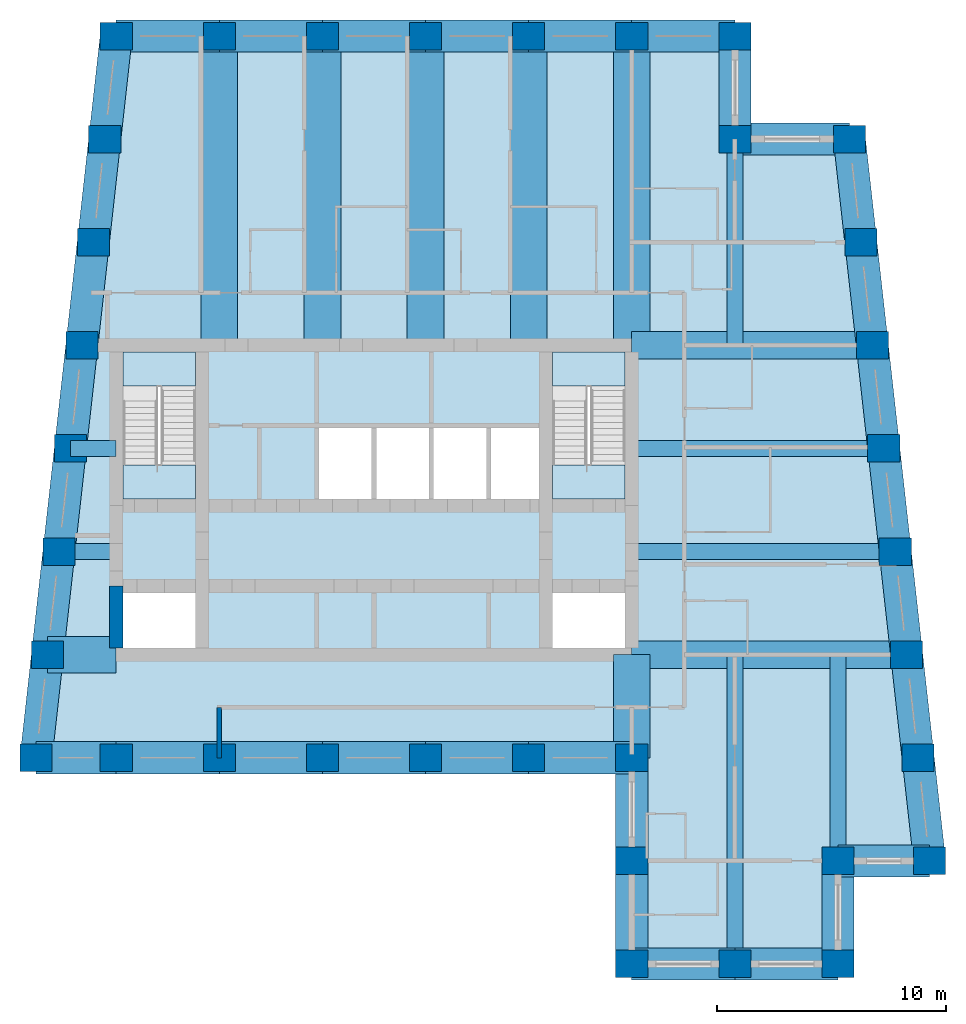
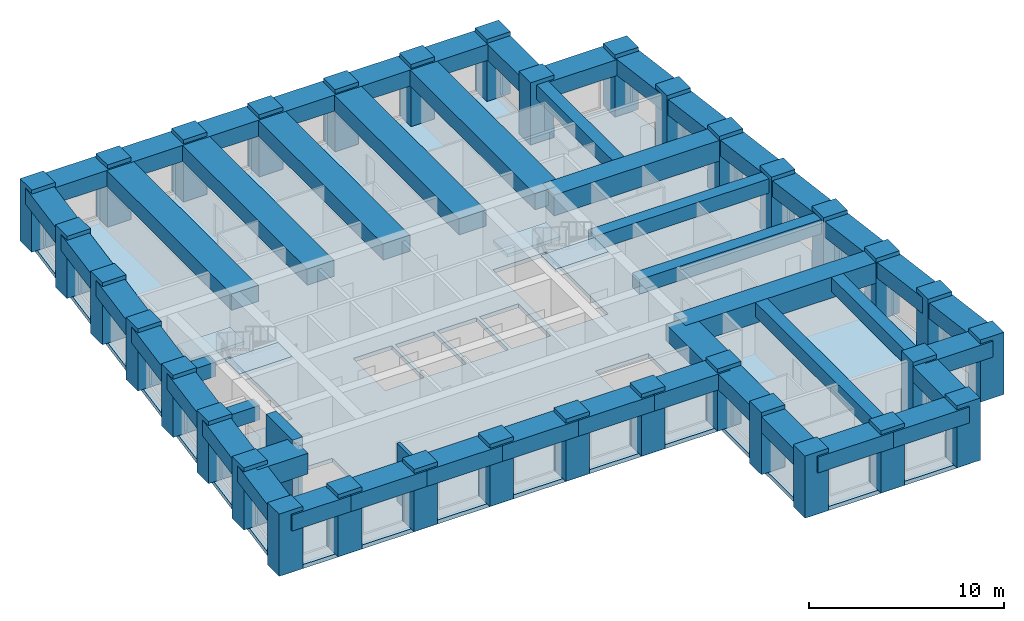
# One storey, part 1 of 7: 50 beams, 34 columns, 5 slabs, 2 walls, 2 elements without a shape of their own.
"""IFC4 building model written with IfcOpenShell, lengths in metres."""

from ifc_helpers import new_model, si_unit, direction, frame, frame_2d, origin, origin_2d, place, context, subcontext, project, spatial, polyline, rectangle, outline, extrude, material, layer, layer_set, material_profile, profile_set, type_object, element, aggregate, save


model = new_model("IFC4")

# Units and contexts
model_context = context("Model", 3, precision=1e-05, world=origin(), true_north=direction((0.0, 1.0)))
body_context = subcontext(model_context, "Body", "Model", "MODEL_VIEW")
ifc_project = project(units=[si_unit("LENGTHUNIT", "METRE"), si_unit("AREAUNIT", "SQUARE_METRE"), si_unit("VOLUMEUNIT", "CUBIC_METRE"), si_unit("PLANEANGLEUNIT", "RADIAN"), si_unit("MASSUNIT", "GRAM", prefix="KILO")], contexts=[model_context])

# Site, building, storey
site_placement = place(None, origin())
site = spatial("IfcSite", under=ifc_project, at=site_placement, CompositionType="ELEMENT")
building_placement = place(site_placement, origin())
building = spatial("IfcBuilding", under=site, at=building_placement, Name="Kilele Tower Hotel", CompositionType="ELEMENT")
storey_placement = place(building_placement, frame((0.0, 0.0, 266.300048828125)))
storey = spatial("IfcBuildingStorey", under=building, at=storey_placement, Name="L68", CompositionType="ELEMENT", Elevation=266.300048828125)

# Columns
ifc_material_1 = material(Name="Concrete C60/75", Category="concrete")
ifc_material_profile_1 = material_profile(ifc_material_1, rectangle(XDim=1.39990234375, YDim=1.199951171875, at=origin_2d()))
ifc_profile_set_1 = profile_set([ifc_material_profile_1], Name="Concrete C60/75")
column_type = type_object("IfcColumnType", Name="Tube column RC 1400x1200 C60/75", PredefinedType="COLUMN", material=ifc_profile_set_1)
for number, where, z_axis, x_axis, name in (
    (1, (10.0, 9.0, 0.0), (0.0, 0.0, 1.0), (1.0, 0.0, 0.0), "Column TC5 L68"),
    (2, (13.5, 9.0, 0.0), (0.0, 0.0, 1.0), (1.0, 0.0, 0.0), "Column TC5 L68"),
    (3, (18.0, 9.0, 0.0), (0.0, 0.0, 1.0), (1.0, 0.0, 0.0), "Column TC5 L68"),
    (4, (22.5, 9.0, 0.0), (0.0, 0.0, 1.0), (1.0, 0.0, 0.0), "Column TC5 L68"),
    (5, (27.0, 9.0, 0.0), (0.0, 0.0, 1.0), (1.0, 0.0, 0.0), "Column TC5 L68"),
    (6, (31.5, 9.0, 0.0), (0.0, 0.0, 1.0), (1.0, 0.0, 0.0), "Column TC5 L68"),
    (7, (36.0, 9.0, 0.0), (0.0, 0.0, 1.0), (1.0, 0.0, 0.0), "Column TC5 L68"),
    (8, (36.0, 4.5, 0.0), (0.0, 0.0, 1.0), (1.0, 0.0, 0.0), "Column TC5 L68"),
    (9, (36.0, 0.0, 0.0), (0.0, 0.0, 1.0), (1.0, 0.0, 0.0), "Column TC5 L68"),
    (10, (40.5, 0.0, 0.0), (0.0, 0.0, 1.0), (1.0, 0.0, 0.0), "Column TC5 L68"),
    (11, (45.0, 0.0, 0.0), (0.0, 0.0, 1.0), (1.0, 0.0, 0.0), "Column TC5 L68"),
    (12, (45.0, 4.5, 0.0), (0.0, 0.0, 1.0), (1.0, 0.0, 0.0), "Column TC5 L68"),
    (13, (49.0, 4.5, 0.0), (0.0, 0.0, 1.0), (1.0, 0.0, 0.0), "Column TC5 L68"),
    (14, (48.5, 9.0, 0.0), (0.0, 0.0, 1.0), (1.0, 0.0, 0.0), "Column TC5 L68"),
    (15, (48.0, 13.5, 0.0), (0.0, 0.0, 1.0), (1.0, 0.0, 0.0), "Column TC5 L68"),
    (16, (47.5, 18.0, 0.0), (0.0, 0.0, 1.0), (1.0, 0.0, 0.0), "Column TC5 L68"),
    (17, (47.0, 22.5, 0.0), (0.0, 0.0, 1.0), (1.0, 0.0, 0.0), "Column TC5 L68"),
    (18, (46.5, 27.0, 0.0), (0.0, 0.0, 1.0), (1.0, 0.0, 0.0), "Column TC5 L68"),
    (19, (46.0, 31.5, 0.0), (0.0, 0.0, 1.0), (1.0, 0.0, 0.0), "Column TC5 L68"),
    (20, (45.5, 36.0, 0.0), (0.0, 0.0, 1.0), (1.0, 0.0, 0.0), "Column TC5 L68"),
    (21, (40.5, 36.0, 0.0), (0.0, 0.0, 1.0), (1.0, 0.0, 0.0), "Column TC5 L68"),
    (22, (40.5, 40.5, 0.0), (0.0, 0.0, 1.0), (1.0, 0.0, 0.0), "Column TC5 L68"),
    (23, (36.0, 40.5, 0.0), (0.0, 0.0, 1.0), (1.0, 0.0, 0.0), "Column TC5 L68"),
    (24, (31.5, 40.5, 0.0), (0.0, 0.0, 1.0), (1.0, 0.0, 0.0), "Column TC5 L68"),
    (25, (27.0, 40.5, 0.0), (0.0, 0.0, 1.0), (1.0, 0.0, 0.0), "Column TC5 L68"),
    (26, (22.5, 40.5, 0.0), (0.0, 0.0, 1.0), (1.0, 0.0, 0.0), "Column TC5 L68"),
    (27, (18.0, 40.5, 0.0), (0.0, 0.0, 1.0), (1.0, 0.0, 0.0), "Column TC5 L68"),
    (28, (13.5, 40.5, 0.0), (0.0, 0.0, 1.0), (1.0, 0.0, 0.0), "Column TC5 L68"),
    (29, (13.0, 36.0, 0.0), (0.0, 0.0, 1.0), (1.0, 0.0, 0.0), "Column TC5 L68"),
    (30, (12.5, 31.5, 0.0), (0.0, 0.0, 1.0), (1.0, 0.0, 0.0), "Column TC5 L68"),
    (31, (12.0, 27.0, 0.0), (0.0, 0.0, 1.0), (1.0, 0.0, 0.0), "Column TC5 L68"),
    (32, (11.5, 22.5, 0.0), (0.0, 0.0, 1.0), (1.0, 0.0, 0.0), "Column TC5 L68"),
    (33, (11.0, 18.0, 0.0), (0.0, 0.0, 1.0), (1.0, 0.0, 0.0), "Column TC5 L68"),
    (34, (10.5, 13.5, 0.0), (0.0, 0.0, 1.0), (1.0, 0.0, 0.0), "Column TC5 L68"),
):
    element("IfcColumn", number, at=place(storey_placement, frame(where, z_axis=z_axis, x_axis=x_axis)), inside=storey, type_object=column_type, Name=name, PredefinedType="COLUMN", context=body_context, shape_type="SweptSolid", body=[
        extrude(rectangle(XDim=1.39990234375, YDim=1.199951171875, at=origin_2d()), origin(), (0.0, 0.0, 1.0), 3.89990234375),
    ])

# Beams
ifc_material_2 = material(Name="Concrete C60/75", Category="concrete")
ifc_material_profile_2 = material_profile(ifc_material_2, rectangle(XDim=1.60009765625, YDim=1.0, at=origin_2d()))
ifc_profile_set_2 = profile_set([ifc_material_profile_2], Name="Concrete C60/75")
beam_type_1 = type_object("IfcBeamType", Name="Beam RC 1600x1000 C60/75", PredefinedType="BEAM", material=ifc_profile_set_2)
for number, where, z_axis, x_axis, name in (
    (35, (36.0, 40.5, 3.14990234375), (0.0, -1.0, 0.0), (1.0, 0.0, 0.0), "Beam BC1 level L69"),
    (36, (31.5, 40.5, 3.14990234375), (0.0, -1.0, 0.0), (1.0, 0.0, 0.0), "Beam BC1 level L69"),
    (37, (27.0, 40.5, 3.14990234375), (0.0, -1.0, 0.0), (1.0, 0.0, 0.0), "Beam BC1 level L69"),
    (38, (22.5, 40.5, 3.14990234375), (0.0, -1.0, 0.0), (1.0, 0.0, 0.0), "Beam BC1 level L69"),
    (39, (18.0, 40.5, 3.14990234375), (0.0, -1.0, 0.0), (1.0, 0.0, 0.0), "Beam BC1 level L69"),
):
    element("IfcBeam", number, at=place(storey_placement, frame(where, z_axis=z_axis, x_axis=x_axis)), inside=storey, type_object=beam_type_1, Name=name, PredefinedType="BEAM", context=body_context, shape_type="SweptSolid", body=[
        extrude(rectangle(XDim=1.60009765625, YDim=1.0, at=origin_2d()), origin(), (0.0, 0.0, 1.0), 13.5),
    ])
ifc_material_3 = material(Name="Concrete C60/75", Category="concrete")
ifc_material_profile_3 = material_profile(ifc_material_3, rectangle(XDim=1.60009765625, YDim=1.0, at=origin_2d()))
ifc_profile_set_3 = profile_set([ifc_material_profile_3], Name="Concrete C60/75")
beam_type_2 = type_object("IfcBeamType", Name="Beam RC 1600x1000 C60/75 short span", PredefinedType="BEAM", material=ifc_profile_set_3)
beam_1_placement = place(storey_placement, frame((36.0, 9.0, 3.14990234375), z_axis=(0.0, 1.0, 0.0), x_axis=(-1.0, 0.0, 0.0)))
element("IfcBeam", 40, at=beam_1_placement, inside=storey, type_object=beam_type_2, Name="Beam BC2 level L69", PredefinedType="BEAM", context=body_context, shape_type="SweptSolid", body=[
    extrude(rectangle(XDim=1.60009765625, YDim=1.0, at=origin_2d()), origin(), (0.0, 0.0, 1.0), 4.5),
])
ifc_material_4 = material(Name="Concrete C60/75", Category="concrete")
ifc_material_profile_4 = material_profile(ifc_material_4, rectangle(XDim=0.699951171875, YDim=0.89990234375, at=origin_2d()))
ifc_profile_set_4 = profile_set([ifc_material_profile_4], Name="Concrete C60/75")
beam_type_3 = type_object("IfcBeamType", Name="Beam RC 700x900 C60/75", PredefinedType="BEAM", material=ifc_profile_set_4)
beam_2_placement = place(storey_placement, frame((40.5, 0.0, 3.199951171875), z_axis=(0.0, 1.0, 0.0), x_axis=(-1.0, 0.0, 0.0)))
element("IfcBeam", 41, at=beam_2_placement, inside=storey, type_object=beam_type_3, Name="Beam B1 level L69", PredefinedType="BEAM", context=body_context, shape_type="SweptSolid", body=[
    extrude(rectangle(XDim=0.699951171875, YDim=0.89990234375, at=origin_2d()), origin(), (0.0, 0.0, 1.0), 13.5),
])
ifc_material_5 = material(Name="Concrete C60/75", Category="concrete")
ifc_material_profile_5 = material_profile(ifc_material_5, rectangle(XDim=0.699951171875, YDim=0.89990234375, at=origin_2d()))
ifc_profile_set_5 = profile_set([ifc_material_profile_5], Name="Concrete C60/75")
beam_type_4 = type_object("IfcBeamType", Name="Beam RC 700x900 C60/75 mid span", PredefinedType="BEAM", material=ifc_profile_set_5)
beam_3_placement = place(storey_placement, frame((45.0, 4.5, 3.199951171875), z_axis=(0.0, 1.0, 0.0), x_axis=(-1.0, 0.0, 0.0)))
element("IfcBeam", 42, at=beam_3_placement, inside=storey, type_object=beam_type_4, Name="Beam B2 level L69", PredefinedType="BEAM", context=body_context, shape_type="SweptSolid", body=[
    extrude(rectangle(XDim=0.699951171875, YDim=0.89990234375, at=origin_2d()), origin(), (0.0, 0.0, 1.0), 9.0),
])
beam_4_placement = place(storey_placement, frame((47.5, 18.0, 3.199951171875), z_axis=(-1.0, 0.0, 0.0), x_axis=(0.0, -1.0, 0.0)))
element("IfcBeam", 43, at=beam_4_placement, inside=storey, type_object=beam_type_4, Name="Beam B2 level L69", PredefinedType="BEAM", context=body_context, shape_type="SweptSolid", body=[
    extrude(rectangle(XDim=0.699951171875, YDim=0.89990234375, at=origin_2d()), origin(), (0.0, 0.0, 1.0), 11.5),
])
beam_5_placement = place(storey_placement, frame((47.0, 22.5, 3.199951171875), z_axis=(-1.0, 0.0, 0.0), x_axis=(0.0, -1.0, 0.0)))
element("IfcBeam", 44, at=beam_5_placement, inside=storey, type_object=beam_type_4, Name="Beam B2 level L69", PredefinedType="BEAM", context=body_context, shape_type="SweptSolid", body=[
    extrude(rectangle(XDim=0.699951171875, YDim=0.89990234375, at=origin_2d()), origin(), (0.0, 0.0, 1.0), 11.0),
])
beam_6_placement = place(storey_placement, frame((40.5, 36.0, 3.199951171875), z_axis=(0.0, -1.0, 0.0), x_axis=(1.0, 0.0, 0.0)))
element("IfcBeam", 45, at=beam_6_placement, inside=storey, type_object=beam_type_4, Name="Beam B2 level L69", PredefinedType="BEAM", context=body_context, shape_type="SweptSolid", body=[
    extrude(rectangle(XDim=0.699951171875, YDim=0.89990234375, at=origin_2d()), origin(), (0.0, 0.0, 1.0), 9.0),
])
ifc_material_6 = material(Name="Concrete C60/75", Category="concrete")
ifc_material_profile_6 = material_profile(ifc_material_6, rectangle(XDim=0.699951171875, YDim=0.89990234375, at=origin_2d()))
ifc_profile_set_6 = profile_set([ifc_material_profile_6], Name="Concrete C60/75")
beam_type_5 = type_object("IfcBeamType", Name="Beam RC 700x900 C60/75 short span", PredefinedType="BEAM", material=ifc_profile_set_6)
beam_7_placement = place(storey_placement, frame((11.5, 22.5, 3.199951171875), z_axis=(1.0, 0.0, 0.0), x_axis=(0.0, 1.0, 0.0)))
element("IfcBeam", 46, at=beam_7_placement, inside=storey, type_object=beam_type_5, Name="Beam B3 level L69", PredefinedType="BEAM", context=body_context, shape_type="SweptSolid", body=[
    extrude(rectangle(XDim=0.699951171875, YDim=0.89990234375, at=origin_2d()), origin(), (0.0, 0.0, 1.0), 2.0),
])
beam_8_placement = place(storey_placement, frame((11.0, 18.0, 3.199951171875), z_axis=(1.0, 0.0, 0.0), x_axis=(0.0, 1.0, 0.0)))
element("IfcBeam", 47, at=beam_8_placement, inside=storey, type_object=beam_type_5, Name="Beam B3 level L69", PredefinedType="BEAM", context=body_context, shape_type="SweptSolid", body=[
    extrude(rectangle(XDim=0.699951171875, YDim=0.89990234375, at=origin_2d()), origin(), (0.0, 0.0, 1.0), 2.5),
])
ifc_material_7 = material(Name="Concrete C60/75", Category="concrete")
ifc_material_profile_7 = material_profile(ifc_material_7, rectangle(XDim=1.60009765625, YDim=1.300048828125, at=origin_2d()))
ifc_profile_set_7 = profile_set([ifc_material_profile_7], Name="Concrete C60/75")
beam_type_6 = type_object("IfcBeamType", Name="Coupling girder RC 1600x1300 C60/75", PredefinedType="BEAM", material=ifc_profile_set_7)
beam_9_placement = place(storey_placement, frame((10.5, 13.5, 3.0), z_axis=(1.0, 0.0, 0.0), x_axis=(0.0, 1.0, 0.0)))
element("IfcBeam", 48, at=beam_9_placement, inside=storey, type_object=beam_type_6, Name="Coupling girder G2 level L69", PredefinedType="BEAM", context=body_context, shape_type="SweptSolid", body=[
    extrude(rectangle(XDim=1.60009765625, YDim=1.300048828125, at=origin_2d()), origin(), (0.0, 0.0, 1.0), 3.0),
])
ifc_material_8 = material(Name="Concrete C60/75", Category="concrete")
ifc_material_profile_8 = material_profile(ifc_material_8, rectangle(XDim=1.199951171875, YDim=1.300048828125, at=origin_2d()))
ifc_profile_set_8 = profile_set([ifc_material_profile_8], Name="Concrete C60/75")
beam_type_7 = type_object("IfcBeamType", Name="Girder RC 1200x1300 C60/75", PredefinedType="BEAM", material=ifc_profile_set_8)
beam_10_placement = place(storey_placement, frame((48.0, 13.5, 3.0), z_axis=(-1.0, 0.0, 0.0), x_axis=(0.0, -1.0, 0.0)))
element("IfcBeam", 49, at=beam_10_placement, inside=storey, type_object=beam_type_7, Name="Girder G1 level L69", PredefinedType="BEAM", context=body_context, shape_type="SweptSolid", body=[
    extrude(rectangle(XDim=1.199951171875, YDim=1.300048828125, at=origin_2d()), origin(), (0.0, 0.0, 1.0), 12.0),
])
ifc_material_9 = material(Name="Concrete C60/75", Category="concrete")
ifc_material_profile_9 = material_profile(ifc_material_9, rectangle(XDim=1.199951171875, YDim=1.300048828125, at=origin_2d()))
ifc_profile_set_9 = profile_set([ifc_material_profile_9], Name="Concrete C60/75")
beam_type_8 = type_object("IfcBeamType", Name="Girder RC 1200x1300 C60/75 mid span", PredefinedType="BEAM", material=ifc_profile_set_9)
beam_11_placement = place(storey_placement, frame((46.5, 27.0, 3.0), z_axis=(-1.0, 0.0, 0.0), x_axis=(0.0, -1.0, 0.0)))
element("IfcBeam", 50, at=beam_11_placement, inside=storey, type_object=beam_type_8, Name="Girder G3 level L69", PredefinedType="BEAM", context=body_context, shape_type="SweptSolid", body=[
    extrude(rectangle(XDim=1.199951171875, YDim=1.300048828125, at=origin_2d()), origin(), (0.0, 0.0, 1.0), 10.5),
])
ifc_material_10 = material(Name="Concrete C60/75", Category="concrete")
ifc_material_profile_10 = material_profile(ifc_material_10, rectangle(XDim=1.39990234375, YDim=1.0, at=origin_2d()))
ifc_profile_set_10 = profile_set([ifc_material_profile_10], Name="Concrete C60/75")
beam_type_9 = type_object("IfcBeamType", Name="Spandrel RC 1400x1000 C60/75", PredefinedType="SPANDREL", material=ifc_profile_set_10)
beam_12_placement = place(storey_placement, frame((10.0, 9.0, 3.14990234375), z_axis=(1.0, 0.0, 0.0), x_axis=(0.0, 1.0, 0.0)))
element("IfcBeam", 51, at=beam_12_placement, inside=storey, type_object=beam_type_9, Name="Spandrel SP1 level L69", PredefinedType="SPANDREL", context=body_context, shape_type="SweptSolid", body=[
    extrude(rectangle(XDim=1.39990234375, YDim=1.0, at=origin_2d()), origin(), (0.0, 0.0, 1.0), 3.5),
])
for number, where, z_axis, x_axis, name in (
    (52, (13.5, 9.0, 3.14990234375), (1.0, 0.0, 0.0), (0.0, 1.0, 0.0), "Spandrel SP1 level L69"),
    (53, (18.0, 9.0, 3.14990234375), (1.0, 0.0, 0.0), (0.0, 1.0, 0.0), "Spandrel SP1 level L69"),
    (54, (22.5, 9.0, 3.14990234375), (1.0, 0.0, 0.0), (0.0, 1.0, 0.0), "Spandrel SP1 level L69"),
    (55, (27.0, 9.0, 3.14990234375), (1.0, 0.0, 0.0), (0.0, 1.0, 0.0), "Spandrel SP1 level L69"),
    (56, (31.5, 9.0, 3.14990234375), (1.0, 0.0, 0.0), (0.0, 1.0, 0.0), "Spandrel SP1 level L69"),
    (57, (36.0, 9.0, 3.14990234375), (0.0, -1.0, 0.0), (1.0, 0.0, 0.0), "Spandrel SP1 level L69"),
    (58, (36.0, 4.5, 3.14990234375), (0.0, -1.0, 0.0), (1.0, 0.0, 0.0), "Spandrel SP1 level L69"),
    (59, (36.0, 0.0, 3.14990234375), (1.0, 0.0, 0.0), (0.0, 1.0, 0.0), "Spandrel SP1 level L69"),
    (60, (40.5, 0.0, 3.14990234375), (1.0, 0.0, 0.0), (0.0, 1.0, 0.0), "Spandrel SP1 level L69"),
    (61, (45.0, 0.0, 3.14990234375), (0.0, 1.0, 0.0), (-1.0, 0.0, 0.0), "Spandrel SP1 level L69"),
):
    element("IfcBeam", number, at=place(storey_placement, frame(where, z_axis=z_axis, x_axis=x_axis)), inside=storey, type_object=beam_type_9, Name=name, PredefinedType="SPANDREL", context=body_context, shape_type="SweptSolid", body=[
        extrude(rectangle(XDim=1.39990234375, YDim=1.0, at=origin_2d()), origin(), (0.0, 0.0, 1.0), 4.5),
    ])
beam_13_placement = place(storey_placement, frame((45.0, 4.5, 3.14990234375), z_axis=(1.0, 0.0, 0.0), x_axis=(0.0, 1.0, 0.0)))
element("IfcBeam", 62, at=beam_13_placement, inside=storey, type_object=beam_type_9, Name="Spandrel SP1 level L69", PredefinedType="SPANDREL", context=body_context, shape_type="SweptSolid", body=[
    extrude(rectangle(XDim=1.39990234375, YDim=1.0, at=origin_2d()), origin(), (0.0, 0.0, 1.0), 4.0),
])
for number, where, z_axis, x_axis, name in (
    (63, (49.0, 4.5, 3.14990234375), (-0.110431526075, 0.993883734674, 0.0), (-0.993883734674, -0.110431526075, 0.0), "Spandrel SP1 level L69"),
    (64, (48.5, 9.0, 3.14990234375), (-0.110431526075, 0.993883734674, 0.0), (-0.993883734674, -0.110431526075, 0.0), "Spandrel SP1 level L69"),
    (65, (48.0, 13.5, 3.14990234375), (-0.110431526075, 0.993883734674, 0.0), (-0.993883734674, -0.110431526075, 0.0), "Spandrel SP1 level L69"),
    (66, (47.5, 18.0, 3.14990234375), (-0.110431526075, 0.993883734674, 0.0), (-0.993883734674, -0.110431526075, 0.0), "Spandrel SP1 level L69"),
    (67, (47.0, 22.5, 3.14990234375), (-0.110431526075, 0.993883734674, 0.0), (-0.993883734674, -0.110431526075, 0.0), "Spandrel SP1 level L69"),
    (68, (46.5, 27.0, 3.14990234375), (-0.110431526075, 0.993883734674, 0.0), (-0.993883734674, -0.110431526075, 0.0), "Spandrel SP1 level L69"),
    (69, (46.0, 31.5, 3.14990234375), (-0.110431526075, 0.993883734674, 0.0), (-0.993883734674, -0.110431526075, 0.0), "Spandrel SP1 level L69"),
):
    element("IfcBeam", number, at=place(storey_placement, frame(where, z_axis=z_axis, x_axis=x_axis)), inside=storey, type_object=beam_type_9, Name=name, PredefinedType="SPANDREL", context=body_context, shape_type="SweptSolid", body=[
        extrude(rectangle(XDim=1.39990234375, YDim=1.0, at=origin_2d()), origin(), (0.0, 0.0, 1.0), 4.527587890625),
    ])
beam_14_placement = place(storey_placement, frame((45.5, 36.0, 3.14990234375), z_axis=(-1.0, 0.0, 0.0), x_axis=(0.0, -1.0, 0.0)))
element("IfcBeam", 70, at=beam_14_placement, inside=storey, type_object=beam_type_9, Name="Spandrel SP1 level L69", PredefinedType="SPANDREL", context=body_context, shape_type="SweptSolid", body=[
    extrude(rectangle(XDim=1.39990234375, YDim=1.0, at=origin_2d()), origin(), (0.0, 0.0, 1.0), 5.0),
])
for number, where, z_axis, x_axis, name in (
    (71, (40.5, 36.0, 3.14990234375), (0.0, 1.0, 0.0), (-1.0, 0.0, 0.0), "Spandrel SP1 level L69"),
    (72, (40.5, 40.5, 3.14990234375), (-1.0, 0.0, 0.0), (0.0, -1.0, 0.0), "Spandrel SP1 level L69"),
    (73, (36.0, 40.5, 3.14990234375), (-1.0, 0.0, 0.0), (0.0, -1.0, 0.0), "Spandrel SP1 level L69"),
    (74, (31.5, 40.5, 3.14990234375), (-1.0, 0.0, 0.0), (0.0, -1.0, 0.0), "Spandrel SP1 level L69"),
    (75, (27.0, 40.5, 3.14990234375), (-1.0, 0.0, 0.0), (0.0, -1.0, 0.0), "Spandrel SP1 level L69"),
    (76, (22.5, 40.5, 3.14990234375), (-1.0, 0.0, 0.0), (0.0, -1.0, 0.0), "Spandrel SP1 level L69"),
    (77, (18.0, 40.5, 3.14990234375), (-1.0, 0.0, 0.0), (0.0, -1.0, 0.0), "Spandrel SP1 level L69"),
):
    element("IfcBeam", number, at=place(storey_placement, frame(where, z_axis=z_axis, x_axis=x_axis)), inside=storey, type_object=beam_type_9, Name=name, PredefinedType="SPANDREL", context=body_context, shape_type="SweptSolid", body=[
        extrude(rectangle(XDim=1.39990234375, YDim=1.0, at=origin_2d()), origin(), (0.0, 0.0, 1.0), 4.5),
    ])
for number, where, z_axis, x_axis, name in (
    (78, (13.5, 40.5, 3.14990234375), (-0.110431526075, -0.993883734674, 0.0), (0.993883734674, -0.110431526075, 0.0), "Spandrel SP1 level L69"),
    (79, (13.0, 36.0, 3.14990234375), (-0.110431526075, -0.993883734674, 0.0), (0.993883734674, -0.110431526075, 0.0), "Spandrel SP1 level L69"),
    (80, (12.5, 31.5, 3.14990234375), (-0.110431526075, -0.993883734674, 0.0), (0.993883734674, -0.110431526075, 0.0), "Spandrel SP1 level L69"),
    (81, (12.0, 27.0, 3.14990234375), (-0.110431526075, -0.993883734674, 0.0), (0.993883734674, -0.110431526075, 0.0), "Spandrel SP1 level L69"),
    (82, (11.5, 22.5, 3.14990234375), (-0.110431526075, -0.993883734674, 0.0), (0.993883734674, -0.110431526075, 0.0), "Spandrel SP1 level L69"),
    (83, (11.0, 18.0, 3.14990234375), (-0.110431526075, -0.993883734674, 0.0), (0.993883734674, -0.110431526075, 0.0), "Spandrel SP1 level L69"),
    (84, (10.5, 13.5, 3.14990234375), (-0.110431526075, -0.993883734674, 0.0), (0.993883734674, -0.110431526075, 0.0), "Spandrel SP1 level L69"),
):
    element("IfcBeam", number, at=place(storey_placement, frame(where, z_axis=z_axis, x_axis=x_axis)), inside=storey, type_object=beam_type_9, Name=name, PredefinedType="SPANDREL", context=body_context, shape_type="SweptSolid", body=[
        extrude(rectangle(XDim=1.39990234375, YDim=1.0, at=origin_2d()), origin(), (0.0, 0.0, 1.0), 4.527587890625),
    ])

# Slab
ifc_material_11 = material(Name="Concrete C60/75", Category="concrete")
ifc_layer_1 = layer(ifc_material_11, 0.25)
ifc_layer_set_1 = layer_set([ifc_layer_1], Name="Concrete C60/75")
slab_type_1 = type_object("IfcSlabType", Name="Floor slab 250", PredefinedType="FLOOR", material=ifc_layer_set_1)
slab_1_placement = place(storey_placement, frame((0.0, 0.0, -0.25)))
element("IfcSlab", 85, at=slab_1_placement, inside=storey, type_object=slab_type_1, Name="Floor slab L68", PredefinedType="FLOOR", context=body_context, shape_type="SweptSolid", body=[
    extrude(outline(polyline([(40.800048828125, 40.800048828125), (40.800048828125, 36.300048828125), (45.7685546875, 36.300048828125), (49.335205078125, 4.199951171875), (45.300048828125, 4.199951171875), (45.300048828125, -0.300048828125), (35.699951171875, -0.300048828125), (35.699951171875, 8.699951171875), (9.664794921875, 8.699951171875), (13.2314453125, 40.800048828125), (40.800048828125, 40.800048828125)]), holes=[polyline([(16.949951171875, 16.199951171875), (13.800048828125, 16.199951171875), (13.800048828125, 13.800048828125), (16.949951171875, 13.800048828125), (16.949951171875, 16.199951171875)]), polyline([(35.699951171875, 16.199951171875), (32.550048828125, 16.199951171875), (32.550048828125, 13.800048828125), (35.699951171875, 13.800048828125), (35.699951171875, 16.199951171875)]), polyline([(24.64990234375, 23.39990234375), (22.35009765625, 23.39990234375), (22.35009765625, 20.10009765625), (24.64990234375, 20.10009765625), (24.64990234375, 23.39990234375)]), polyline([(27.14990234375, 23.39990234375), (24.85009765625, 23.39990234375), (24.85009765625, 20.10009765625), (27.14990234375, 20.10009765625), (27.14990234375, 23.39990234375)]), polyline([(29.64990234375, 23.39990234375), (27.35009765625, 23.39990234375), (27.35009765625, 20.10009765625), (29.64990234375, 20.10009765625), (29.64990234375, 23.39990234375)]), polyline([(32.14990234375, 23.39990234375), (29.85009765625, 23.39990234375), (29.85009765625, 20.10009765625), (32.14990234375, 20.10009765625), (32.14990234375, 23.39990234375)]), polyline([(16.949951171875, 26.699951171875), (13.800048828125, 26.699951171875), (13.800048828125, 20.300048828125), (16.949951171875, 20.300048828125), (16.949951171875, 26.699951171875)]), polyline([(35.699951171875, 26.699951171875), (32.550048828125, 26.699951171875), (32.550048828125, 20.300048828125), (35.699951171875, 20.300048828125), (35.699951171875, 26.699951171875)])]), origin(), (0.0, 0.0, 1.0), 0.25),
])

# Stair, slabs
ifc_material_12 = material(Name="Precast concrete C40/50", Category="concrete")
stair_type = type_object("IfcStairType", Name="Stair 1475 x 3900", PredefinedType="HALF_TURN_STAIR", material=ifc_material_12)
stair_1_placement = place(storey_placement, origin())
stair_1 = element("IfcStair", 86, at=stair_1_placement, inside=storey, type_object=stair_type, Name="Stair 1 L68", PredefinedType="HALF_TURN_STAIR")
ifc_material_13 = material(Name="Precast concrete C40/50", Category="concrete")
ifc_layer_2 = layer(ifc_material_13, 0.199951171875)
ifc_layer_set_2 = layer_set([ifc_layer_2], Name="Precast concrete C40/50")
slab_type_2 = type_object("IfcSlabType", Name="Stair landing 200", PredefinedType="LANDING", material=ifc_layer_set_2)
slab_2_placement = place(storey_placement, frame((0.0, 0.0, 1.6650390625)))
slab_2 = element("IfcSlab", 87, at=slab_2_placement, type_object=slab_type_2, Name="ST1 landing 1", PredefinedType="LANDING", context=body_context, shape_type="SweptSolid", body=[
    extrude(outline(polyline([(13.800048828125, 25.22509765625), (16.949951171875, 25.22509765625), (16.949951171875, 26.699951171875), (13.800048828125, 26.699951171875), (13.800048828125, 25.22509765625)])), origin(), (0.0, 0.0, 1.0), 0.2001953125),
])
slab_3_placement = place(storey_placement, frame((0.0, 0.0, 3.699951171875)))
slab_3 = element("IfcSlab", 88, at=slab_3_placement, type_object=slab_type_2, Name="ST1 landing 2", PredefinedType="LANDING", context=body_context, shape_type="SweptSolid", body=[
    extrude(outline(polyline([(13.800048828125, 20.300048828125), (16.949951171875, 20.300048828125), (16.949951171875, 21.77490234375), (13.800048828125, 21.77490234375), (13.800048828125, 20.300048828125)])), origin(), (0.0, 0.0, 1.0), 0.199951171875),
])
aggregate(stair_1, [slab_2, slab_3])

stair_2_placement = place(storey_placement, origin())
stair_2 = element("IfcStair", 89, at=stair_2_placement, inside=storey, type_object=stair_type, Name="Stair 2 L68", PredefinedType="HALF_TURN_STAIR")
slab_4_placement = place(storey_placement, frame((0.0, 0.0, 1.6650390625)))
slab_4 = element("IfcSlab", 90, at=slab_4_placement, type_object=slab_type_2, Name="ST2 landing 1", PredefinedType="LANDING", context=body_context, shape_type="SweptSolid", body=[
    extrude(outline(polyline([(32.550048828125, 25.22509765625), (35.699951171875, 25.22509765625), (35.699951171875, 26.699951171875), (32.550048828125, 26.699951171875), (32.550048828125, 25.22509765625)])), origin(), (0.0, 0.0, 1.0), 0.2001953125),
])
slab_5_placement = place(storey_placement, frame((0.0, 0.0, 3.699951171875)))
slab_5 = element("IfcSlab", 91, at=slab_5_placement, type_object=slab_type_2, Name="ST2 landing 2", PredefinedType="LANDING", context=body_context, shape_type="SweptSolid", body=[
    extrude(outline(polyline([(32.550048828125, 20.300048828125), (35.699951171875, 20.300048828125), (35.699951171875, 21.77490234375), (32.550048828125, 21.77490234375), (32.550048828125, 20.300048828125)])), origin(), (0.0, 0.0, 1.0), 0.199951171875),
])
aggregate(stair_2, [slab_4, slab_5])

# Walls
ifc_material_14 = material(Name="Concrete C60/75", Category="concrete")
ifc_layer_3 = layer(ifc_material_14, 0.60009765625)
ifc_layer_set_3 = layer_set([ifc_layer_3], Name="Concrete C60/75")
wall_type_1 = type_object("IfcWallType", Name="Core wall 600 C60/75", PredefinedType="SHEAR", material=ifc_layer_set_3)
wall_1_placement = place(storey_placement, frame((13.5, 16.5, 0.0), z_axis=(0.0, 0.0, 1.0), x_axis=(0.0, -1.0, 0.0)))
element("IfcWall", 92, at=wall_1_placement, inside=storey, type_object=wall_type_1, Name="Core wall W3 L68", PredefinedType="SHEAR", context=body_context, shape_type="SweptSolid", body=[
    extrude(rectangle(XDim=2.699951171875, YDim=0.60009765625, at=frame_2d((1.35009765625, 0.0))), origin(), (0.0, 0.0, 1.0), 3.89990234375),
])
ifc_material_15 = material(Name="Blockwork, plastered both sides", Category="masonry")
ifc_layer_4 = layer(ifc_material_15, 0.199951171875)
ifc_layer_set_4 = layer_set([ifc_layer_4], Name="Blockwork, plastered both sides")
wall_type_2 = type_object("IfcWallType", Name="Party wall 200", PredefinedType="PARTITIONING", material=ifc_layer_set_4)
wall_2_placement = place(storey_placement, frame((18.0, 11.199951171875, 0.0), z_axis=(0.0, 0.0, 1.0), x_axis=(0.0, -1.0, 0.0)))
element("IfcWall", 93, at=wall_2_placement, inside=storey, type_object=wall_type_2, Name="Party wall 200 L68", PredefinedType="PARTITIONING", context=body_context, shape_type="SweptSolid", body=[
    extrude(rectangle(XDim=2.199951171875, YDim=0.199951171875, at=frame_2d((1.10009765625, 0.0))), origin(), (0.0, 0.0, 1.0), 3.64990234375),
])

save(model, "model.ifc")
